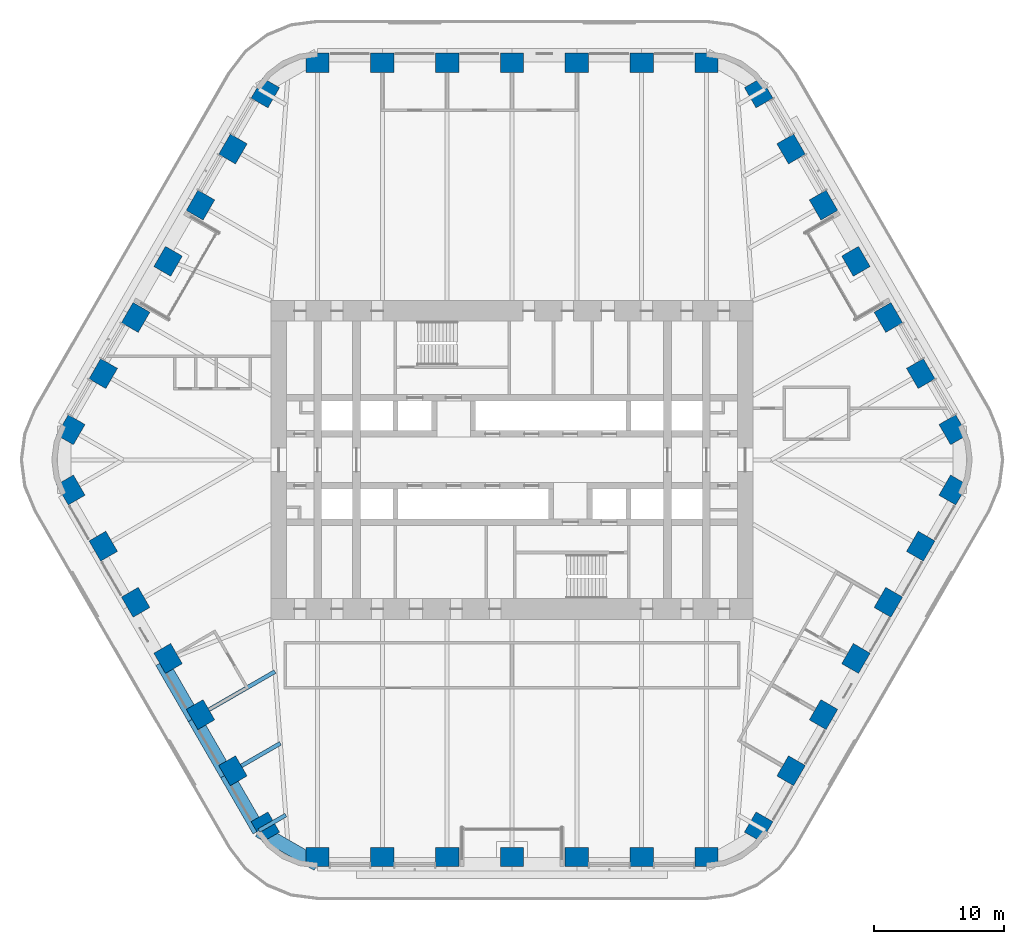
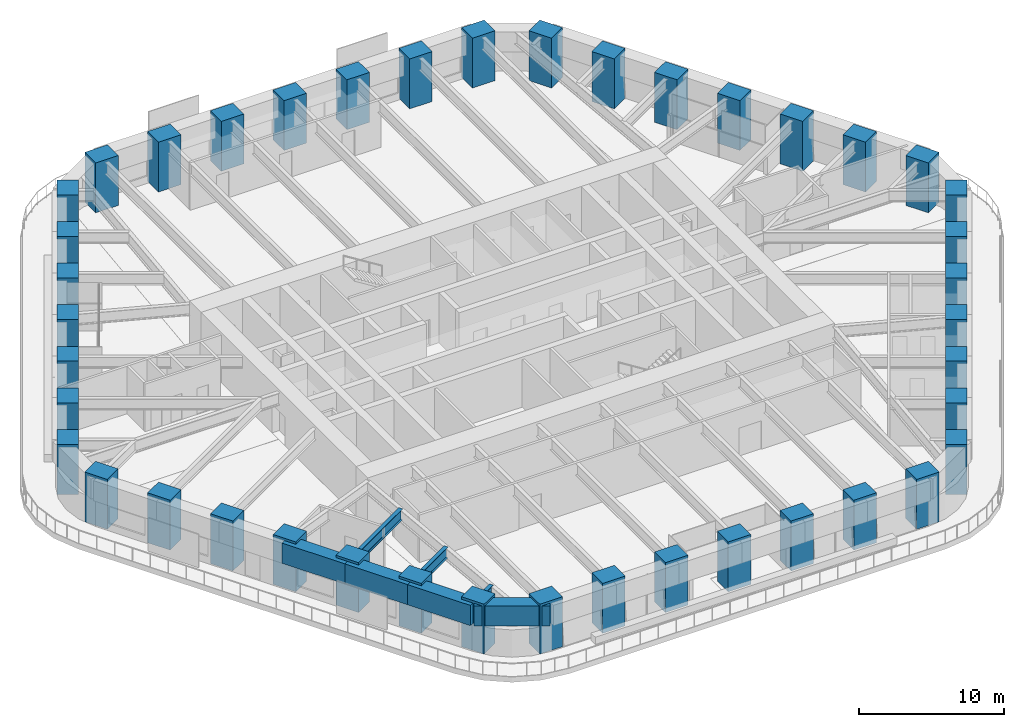
# One storey, part 1 of 24: 42 columns, 7 beams.
"""IFC4 building model written with IfcOpenShell, lengths in metres."""

from ifc_helpers import new_model, si_unit, direction, frame, origin, origin_2d, place, context, subcontext, project, spatial, rectangle, i_section, extrude, material, material_profile, profile_set, type_object, element, save


model = new_model("IFC4")

# Units and contexts
model_context = context("Model", 3, precision=1e-05, world=origin(), true_north=direction((0.0, 1.0)))
body_context = subcontext(model_context, "Body", "Model", "MODEL_VIEW")
ifc_project = project(units=[si_unit("LENGTHUNIT", "METRE"), si_unit("AREAUNIT", "SQUARE_METRE"), si_unit("VOLUMEUNIT", "CUBIC_METRE"), si_unit("PLANEANGLEUNIT", "RADIAN"), si_unit("MASSUNIT", "GRAM", prefix="KILO")], contexts=[model_context])

# Site, building, storey
site_placement = place(None, origin())
site = spatial("IfcSite", under=ifc_project, at=site_placement, CompositionType="ELEMENT")
building_placement = place(site_placement, origin())
building = spatial("IfcBuilding", under=site, at=building_placement, Name="Tarfa Lantern Tower", CompositionType="ELEMENT")
storey_placement = place(building_placement, frame((0.0, 0.0, 132.10009765625)))
storey = spatial("IfcBuildingStorey", under=building, at=storey_placement, Name="L29", CompositionType="ELEMENT", Elevation=132.10009765625)

# Columns
ifc_material_1 = material(Name="Concrete C80/95", Category="concrete")
ifc_material_profile_1 = material_profile(ifc_material_1, rectangle(XDim=1.800048828125, YDim=1.5, at=origin_2d()), Name="RC 1800x1500")
ifc_profile_set_1 = profile_set([ifc_material_profile_1], Name="Concrete C80/95")
column_type = type_object("IfcColumnType", Name="TC5 RC 1800x1500", PredefinedType="COLUMN", material=ifc_profile_set_1)
for number, where, z_axis, x_axis, name in (
    (1, (34.04931640625, 2.324951171875, 0.0), (0.0, 0.0, 1.0), (-0.5, 0.866025403784, 0.0), "Tube column NE0"),
    (2, (31.54736328125, 6.658447265625, 0.0), (0.0, 0.0, 1.0), (-0.5, 0.866025403784, 0.0), "Tube column NE1"),
    (3, (29.04541015625, 10.99169921875, 0.0), (0.0, 0.0, 1.0), (-0.5, 0.866025403784, 0.0), "Tube column NE2"),
    (4, (26.543701171875, 15.324951171875, 0.0), (0.0, 0.0, 1.0), (-0.5, 0.866025403784, 0.0), "Tube column NE3"),
    (5, (24.041748046875, 19.658447265625, 0.0), (0.0, 0.0, 1.0), (-0.5, 0.866025403784, 0.0), "Tube column NE4"),
    (6, (21.5400390625, 23.99169921875, 0.0), (0.0, 0.0, 1.0), (-0.5, 0.866025403784, 0.0), "Tube column NE5"),
    (7, (19.0380859375, 28.324951171875, 0.0), (0.0, 0.0, 1.0), (-0.5, 0.866025403784, 0.0), "Tube column NE6"),
    (8, (15.010986328125, 30.64990234375, 0.0), (0.0, 0.0, 1.0), (-1.0, 0.0, 0.0), "Tube column N0"),
    (9, (10.00732421875, 30.64990234375, 0.0), (0.0, 0.0, 1.0), (-1.0, 0.0, 0.0), "Tube column N1"),
    (10, (5.003662109375, 30.64990234375, 0.0), (0.0, 0.0, 1.0), (-1.0, 0.0, 0.0), "Tube column N2"),
    (11, (0.0, 30.64990234375, 0.0), (0.0, 0.0, 1.0), (-1.0, 0.0, 0.0), "Tube column N3"),
    (12, (-5.003662109375, 30.64990234375, 0.0), (0.0, 0.0, 1.0), (-1.0, 0.0, 0.0), "Tube column N4"),
    (13, (-10.00732421875, 30.64990234375, 0.0), (0.0, 0.0, 1.0), (-1.0, 0.0, 0.0), "Tube column N5"),
    (14, (-15.010986328125, 30.64990234375, 0.0), (0.0, 0.0, 1.0), (-1.0, 0.0, 0.0), "Tube column N6"),
    (15, (-19.0380859375, 28.324951171875, 0.0), (0.0, 0.0, 1.0), (-0.5, -0.866025403784, 0.0), "Tube column NW0"),
    (16, (-21.5400390625, 23.99169921875, 0.0), (0.0, 0.0, 1.0), (-0.5, -0.866025403784, 0.0), "Tube column NW1"),
    (17, (-24.041748046875, 19.658447265625, 0.0), (0.0, 0.0, 1.0), (-0.5, -0.866025403784, 0.0), "Tube column NW2"),
    (18, (-26.543701171875, 15.324951171875, 0.0), (0.0, 0.0, 1.0), (-0.5, -0.866025403784, 0.0), "Tube column NW3"),
    (19, (-29.04541015625, 10.99169921875, 0.0), (0.0, 0.0, 1.0), (-0.5, -0.866025403784, 0.0), "Tube column NW4"),
    (20, (-31.54736328125, 6.658447265625, 0.0), (0.0, 0.0, 1.0), (-0.5, -0.866025403784, 0.0), "Tube column NW5"),
    (21, (-34.04931640625, 2.324951171875, 0.0), (0.0, 0.0, 1.0), (-0.5, -0.866025403784, 0.0), "Tube column NW6"),
    (22, (-34.04931640625, -2.324951171875, 0.0), (0.0, 0.0, 1.0), (0.5, -0.866025403784, 0.0), "Tube column SW0"),
    (23, (-31.54736328125, -6.658447265625, 0.0), (0.0, 0.0, 1.0), (0.5, -0.866025403784, 0.0), "Tube column SW1"),
    (24, (-29.04541015625, -10.99169921875, 0.0), (0.0, 0.0, 1.0), (0.5, -0.866025403784, 0.0), "Tube column SW2"),
    (25, (-26.543701171875, -15.324951171875, 0.0), (0.0, 0.0, 1.0), (0.5, -0.866025403784, 0.0), "Tube column SW3"),
    (26, (-24.041748046875, -19.658447265625, 0.0), (0.0, 0.0, 1.0), (0.5, -0.866025403784, 0.0), "Tube column SW4"),
    (27, (-21.5400390625, -23.99169921875, 0.0), (0.0, 0.0, 1.0), (0.5, -0.866025403784, 0.0), "Tube column SW5"),
    (28, (-19.0380859375, -28.324951171875, 0.0), (0.0, 0.0, 1.0), (0.5, -0.866025403784, 0.0), "Tube column SW6"),
    (29, (-15.010986328125, -30.64990234375, 0.0), (0.0, 0.0, 1.0), (1.0, 0.0, 0.0), "Tube column S0"),
    (30, (-10.00732421875, -30.64990234375, 0.0), (0.0, 0.0, 1.0), (1.0, 0.0, 0.0), "Tube column S1"),
    (31, (-5.003662109375, -30.64990234375, 0.0), (0.0, 0.0, 1.0), (1.0, 0.0, 0.0), "Tube column S2"),
    (32, (0.0, -30.64990234375, 0.0), (0.0, 0.0, 1.0), (1.0, 0.0, 0.0), "Tube column S3"),
    (33, (5.003662109375, -30.64990234375, 0.0), (0.0, 0.0, 1.0), (1.0, 0.0, 0.0), "Tube column S4"),
    (34, (10.00732421875, -30.64990234375, 0.0), (0.0, 0.0, 1.0), (1.0, 0.0, 0.0), "Tube column S5"),
    (35, (15.010986328125, -30.64990234375, 0.0), (0.0, 0.0, 1.0), (1.0, 0.0, 0.0), "Tube column S6"),
    (36, (19.0380859375, -28.324951171875, 0.0), (0.0, 0.0, 1.0), (0.5, 0.866025403784, 0.0), "Tube column SE0"),
    (37, (21.5400390625, -23.99169921875, 0.0), (0.0, 0.0, 1.0), (0.5, 0.866025403784, 0.0), "Tube column SE1"),
    (38, (24.041748046875, -19.658447265625, 0.0), (0.0, 0.0, 1.0), (0.5, 0.866025403784, 0.0), "Tube column SE2"),
    (39, (26.543701171875, -15.324951171875, 0.0), (0.0, 0.0, 1.0), (0.5, 0.866025403784, 0.0), "Tube column SE3"),
    (40, (29.04541015625, -10.99169921875, 0.0), (0.0, 0.0, 1.0), (0.5, 0.866025403784, 0.0), "Tube column SE4"),
    (41, (31.54736328125, -6.658447265625, 0.0), (0.0, 0.0, 1.0), (0.5, 0.866025403784, 0.0), "Tube column SE5"),
    (42, (34.04931640625, -2.324951171875, 0.0), (0.0, 0.0, 1.0), (0.5, 0.866025403784, 0.0), "Tube column SE6"),
):
    element("IfcColumn", number, at=place(storey_placement, frame(where, z_axis=z_axis, x_axis=x_axis)), inside=storey, type_object=column_type, Name=name, PredefinedType="COLUMN", context=body_context, shape_type="SweptSolid", body=[
        extrude(rectangle(XDim=1.800048828125, YDim=1.5, at=origin_2d()), origin(), (0.0, 0.0, 1.0), 4.199951171875),
    ])

# Beams
ifc_material_profile_2 = material_profile(ifc_material_1, rectangle(XDim=1.050048828125, YDim=1.699951171875, at=origin_2d()), Name="RC 1050x1700")
ifc_profile_set_2 = profile_set([ifc_material_profile_2], Name="Concrete C80/95")
beam_type_1 = type_object("IfcBeamType", Name="RB2 RC 1050x1700", PredefinedType="BEAM", material=ifc_profile_set_2)
for number, where, z_axis, x_axis, name in (
    (43, (-27.037353515625, -15.610107421875, 3.14990234375), (0.500022324899, -0.866012514114, 0.0), (0.866012514114, 0.500022324899, 0.0), "Edge beam SW3"),
    (44, (-24.535400390625, -19.943359375, 3.14990234375), (0.49998573051, -0.866033642122, 0.0), (0.866033642122, 0.49998573051, 0.0), "Edge beam SW4"),
):
    element("IfcBeam", number, at=place(storey_placement, frame(where, z_axis=z_axis, x_axis=x_axis)), inside=storey, type_object=beam_type_1, Name=name, PredefinedType="BEAM", context=body_context, shape_type="SweptSolid", body=[
        extrude(rectangle(XDim=1.050048828125, YDim=1.699951171875, at=origin_2d()), origin(), (0.0, 0.0, 1.0), 5.003662109375),
    ])
beam_1_placement = place(storey_placement, frame((-22.03369140625, -24.276611328125, 3.14990234375), z_axis=(0.500001197378, -0.866024712477, 0.0), x_axis=(0.866024712477, 0.500001197378, 0.0)))
element("IfcBeam", 45, at=beam_1_placement, inside=storey, type_object=beam_type_1, Name="Edge beam SW5", PredefinedType="BEAM", context=body_context, shape_type="SweptSolid", body=[
    extrude(rectangle(XDim=1.050048828125, YDim=1.699951171875, at=origin_2d()), origin(), (0.0, 0.0, 1.0), 5.00390625),
])
beam_2_placement = place(storey_placement, frame((-19.53173828125, -28.610107421875, 3.14990234375), z_axis=(0.86604150238, -0.499972115377, 0.0), x_axis=(0.499972115377, 0.86604150238, 0.0)))
element("IfcBeam", 46, at=beam_2_placement, inside=storey, type_object=beam_type_1, Name="Edge beam SW6", PredefinedType="BEAM", context=body_context, shape_type="SweptSolid", body=[
    extrude(rectangle(XDim=1.050048828125, YDim=1.699951171875, at=origin_2d()), origin(), (0.0, 0.0, 1.0), 5.219970703125),
])
ifc_material_2 = material(Name="Steel S460M", Category="steel")
ifc_material_profile_3 = material_profile(ifc_material_2, i_section(OverallWidth=0.305419921875, OverallDepth=0.91845703125, WebThickness=0.017333984375, FlangeThickness=0.02783203125, FilletRadius=0.01904296875, at=origin_2d()), Name="UB914x305x253")
ifc_profile_set_3 = profile_set([ifc_material_profile_3], Name="Steel S460M")
beam_type_2 = type_object("IfcBeamType", Name="UB914x305x253", PredefinedType="BEAM", material=ifc_profile_set_3)
beam_3_placement = place(storey_placement, frame((-24.535400390625, -19.943359375, 3.540771484375), z_axis=(0.86602647304, 0.499998147991, 0.0), x_axis=(-0.499998147991, 0.86602647304, 0.0)))
element("IfcBeam", 47, at=beam_3_placement, inside=storey, type_object=beam_type_2, Name="Floor beam SW4", PredefinedType="BEAM", context=body_context, shape_type="SweptSolid", body=[
    extrude(i_section(OverallWidth=0.305419921875, OverallDepth=0.91845703125, WebThickness=0.017333984375, FlangeThickness=0.02783203125, FilletRadius=0.01904296875, at=origin_2d()), origin(), (0.0, 0.0, 1.0), 7.20556640625),
])
beam_4_placement = place(storey_placement, frame((-22.03369140625, -24.276611328125, 3.540771484375), z_axis=(0.866030550462, 0.499991085587, 0.0), x_axis=(-0.499991085587, 0.866030550462, 0.0)))
element("IfcBeam", 48, at=beam_4_placement, inside=storey, type_object=beam_type_2, Name="Floor beam SW5", PredefinedType="BEAM", context=body_context, shape_type="SweptSolid", body=[
    extrude(i_section(OverallWidth=0.305419921875, OverallDepth=0.91845703125, WebThickness=0.017333984375, FlangeThickness=0.02783203125, FilletRadius=0.01904296875, at=origin_2d()), origin(), (0.0, 0.0, 1.0), 4.798828125),
])
beam_5_placement = place(storey_placement, frame((-19.53173828125, -28.610107421875, 3.540771484375), z_axis=(0.865998640954, 0.500046351717, 0.0), x_axis=(-0.500046351717, 0.865998640954, 0.0)))
element("IfcBeam", 49, at=beam_5_placement, inside=storey, type_object=beam_type_2, Name="Floor beam SW6", PredefinedType="BEAM", context=body_context, shape_type="SweptSolid", body=[
    extrude(i_section(OverallWidth=0.305419921875, OverallDepth=0.91845703125, WebThickness=0.017333984375, FlangeThickness=0.02783203125, FilletRadius=0.01904296875, at=origin_2d()), origin(), (0.0, 0.0, 1.0), 2.392333984375),
])

save(model, "model.ifc")
